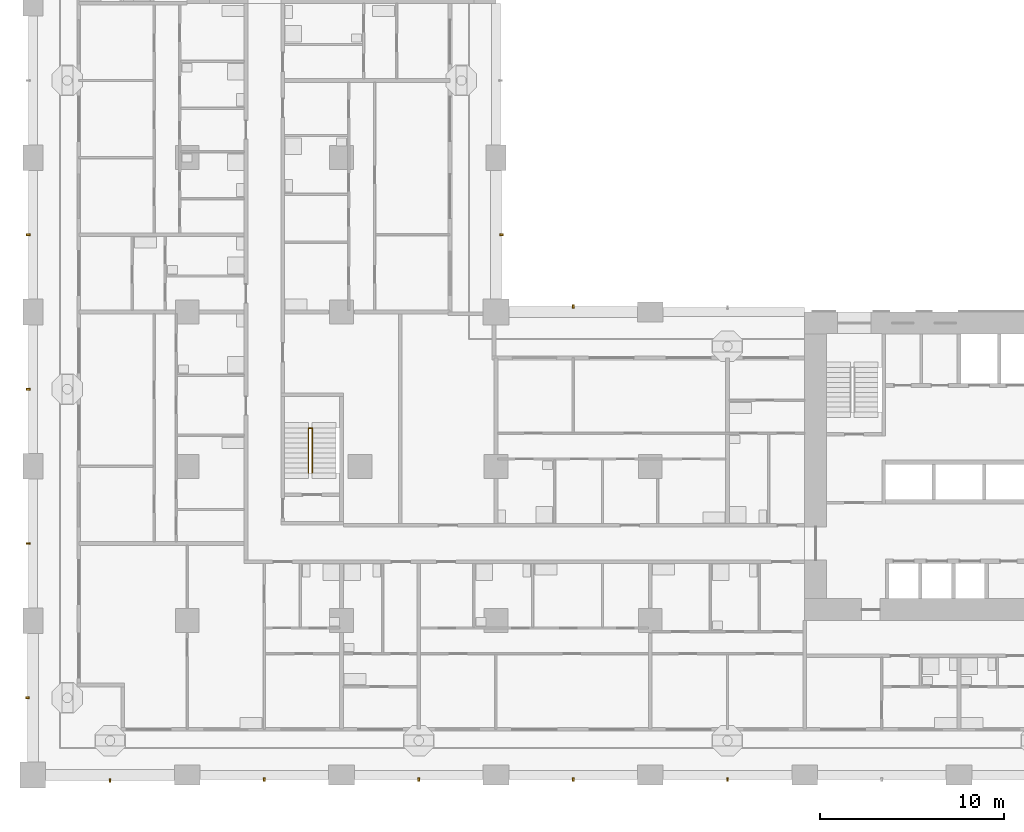
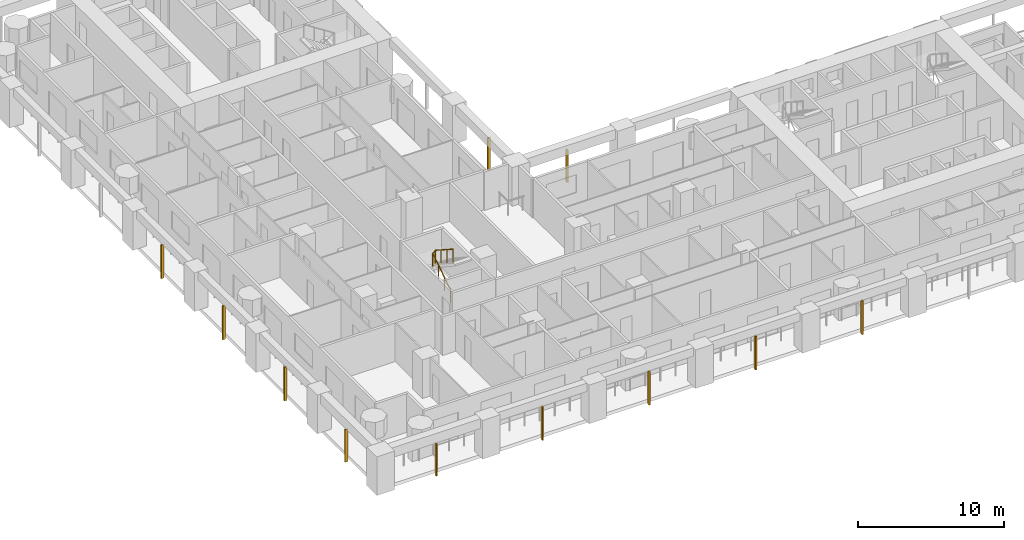
# One storey, part 12 of 21: 11 shading devices, 1 railing.
"""IFC4 building model written with IfcOpenShell, lengths in metres."""

from ifc_helpers import new_model, si_unit, direction, frame, origin, origin_2d, place, context, subcontext, project, spatial, rectangle, circle, extrude, material, material_profile, profile_set, type_object, element, save


model = new_model("IFC4")

# Units and contexts
model_context = context("Model", 3, precision=1e-05, world=origin(), true_north=direction((0.0, 1.0)))
body_context = subcontext(model_context, "Body", "Model", "MODEL_VIEW")
ifc_project = project(units=[si_unit("LENGTHUNIT", "METRE"), si_unit("AREAUNIT", "SQUARE_METRE"), si_unit("VOLUMEUNIT", "CUBIC_METRE"), si_unit("PLANEANGLEUNIT", "RADIAN"), si_unit("MASSUNIT", "GRAM", prefix="KILO")], contexts=[model_context])

# Site, building, storey
site_placement = place(None, origin())
site = spatial("IfcSite", under=ifc_project, at=site_placement, CompositionType="ELEMENT")
building_placement = place(site_placement, origin())
building = spatial("IfcBuilding", under=site, at=building_placement, Name="Vermilion Gate Residences", CompositionType="ELEMENT")
storey_placement = place(building_placement, frame((0.0, 0.0, 67.199951171875)))
storey = spatial("IfcBuildingStorey", under=building, at=storey_placement, Name="L16", CompositionType="ELEMENT", Elevation=67.199951171875)

# Railing
ifc_material_1 = material(Name="Steel S355", Category="steel")
railing_type = type_object("IfcRailingType", Name="STAIR GUARD 1100 STEEL", PredefinedType="GUARDRAIL", material=ifc_material_1)
railing_placement = place(storey_placement, frame((15.0, 16.449951171875, 0.175048828125)))
element("IfcRailing", 1, at=railing_placement, inside=storey, type_object=railing_type, Name="Stair well guard STC1-16", PredefinedType="GUARDRAIL", context=body_context, shape_type="SweptSolid", body=[
    extrude(circle(Radius=0.02392578125, at=origin_2d()), frame((0.0, 0.0, 1.076171875), z_axis=(0.0, 0.839153699163, 0.543894354798), x_axis=(-1.0, 0.0, 0.0)), (0.0, 0.0, 1.0), 2.895751953125),
    extrude(circle(Radius=0.02392578125, at=origin_2d()), frame((0.0, 2.429931640625, 2.65087890625), z_axis=(0.752405939678, 0.0, 0.658699705433), x_axis=(0.0, 1.0, 0.0)), (0.0, 0.0, 1.0), 0.265869140625),
    extrude(circle(Radius=0.02392578125, at=origin_2d()), frame((0.199951171875, 2.429931640625, 2.826171875), z_axis=(0.0, -0.839153699163, 0.543894354798), x_axis=(1.0, 0.0, 0.0)), (0.0, 0.0, 1.0), 2.895751953125),
    extrude(circle(Radius=0.02099609375, at=origin_2d()), origin(), (0.0, 0.0, 1.0), 1.052001953125),
    extrude(circle(Radius=0.02099609375, at=origin_2d()), frame((0.0, 0.81005859375, 0.52490234375)), (0.0, 0.0, 1.0), 1.052001953125),
    extrude(circle(Radius=0.02099609375, at=origin_2d()), frame((0.0, 1.619873046875, 1.050048828125)), (0.0, 0.0, 1.0), 1.052001953125),
    extrude(circle(Radius=0.02099609375, at=origin_2d()), frame((0.0, 2.429931640625, 1.574951171875)), (0.0, 0.0, 1.0), 1.052001953125),
    extrude(circle(Radius=0.02099609375, at=origin_2d()), frame((0.199951171875, 2.429931640625, 1.75)), (0.0, 0.0, 1.0), 1.052001953125),
    extrude(circle(Radius=0.02099609375, at=origin_2d()), frame((0.199951171875, 1.619873046875, 2.27490234375)), (0.0, 0.0, 1.0), 1.052001953125),
    extrude(circle(Radius=0.02099609375, at=origin_2d()), frame((0.199951171875, 0.81005859375, 2.800048828125)), (0.0, 0.0, 1.0), 1.052001953125),
    extrude(circle(Radius=0.02099609375, at=origin_2d()), frame((0.199951171875, 0.0, 3.324951171875)), (0.0, 0.0, 1.0), 1.052001953125),
])

# Shading devices
ifc_material_2 = material(Name="Extruded terracotta", Category="masonry")
ifc_material_profile = material_profile(ifc_material_2, rectangle(XDim=0.199951171875, YDim=0.10009765625, at=origin_2d()), Name="BAGUETTE 100 X 200")
ifc_profile_set = profile_set([ifc_material_profile], Name="Extruded terracotta")
shading_device_type = type_object("IfcShadingDeviceType", Name="TERRACOTTA BAGUETTE 100 X 200", PredefinedType="JALOUSIE", material=ifc_profile_set)
shading_device_placement = place(storey_placement, frame((4.199951171875, -0.300048828125, -0.280029296875), z_axis=(0.0, 0.0, 1.0), x_axis=(0.0, 1.0, 0.0)))
element("IfcShadingDevice", 2, at=shading_device_placement, inside=storey, type_object=shading_device_type, Name="BAGUETTE", PredefinedType="JALOUSIE", context=body_context, shape_type="SweptSolid", body=[
    extrude(rectangle(XDim=0.199951171875, YDim=0.10009765625, at=origin_2d()), origin(), (0.0, 0.0, 1.0), 2.7001953125),
])
for number, where, z_axis, x_axis, name in (
    (3, (12.60009765625, -0.25, -0.280029296875), (0.0, 0.0, 1.0), (0.0, 1.0, 0.0), "BAGUETTE"),
    (4, (21.0, -0.25, -0.280029296875), (0.0, 0.0, 1.0), (0.0, 1.0, 0.0), "BAGUETTE"),
    (5, (29.39990234375, -0.25, -0.280029296875), (0.0, 0.0, 1.0), (0.0, 1.0, 0.0), "BAGUETTE"),
    (6, (37.800048828125, -0.25, -0.280029296875), (0.0, 0.0, 1.0), (0.0, 1.0, 0.0), "BAGUETTE"),
):
    element("IfcShadingDevice", number, at=place(storey_placement, frame(where, z_axis=z_axis, x_axis=x_axis)), inside=storey, type_object=shading_device_type, Name=name, PredefinedType="JALOUSIE", context=body_context, shape_type="SweptSolid", body=[
        extrude(rectangle(XDim=0.199951171875, YDim=0.10009765625, at=origin_2d()), origin(), (0.0, 0.0, 1.0), 2.800048828125),
    ])
for number, where, z_axis, x_axis, name in (
    (7, (29.39990234375, 25.5, -0.280029296875), (0.0, 0.0, 1.0), (0.0, -1.0, 0.0), "BAGUETTE"),
    (8, (25.5, 29.39990234375, -0.280029296875), (0.0, 0.0, 1.0), (-1.0, 0.0, 0.0), "BAGUETTE"),
    (9, (-0.300048828125, 4.199951171875, -0.280029296875), (0.0, 0.0, 1.0), (1.0, 0.0, 0.0), "BAGUETTE"),
):
    element("IfcShadingDevice", number, at=place(storey_placement, frame(where, z_axis=z_axis, x_axis=x_axis)), inside=storey, type_object=shading_device_type, Name=name, PredefinedType="JALOUSIE", context=body_context, shape_type="SweptSolid", body=[
        extrude(rectangle(XDim=0.199951171875, YDim=0.10009765625, at=origin_2d()), origin(), (0.0, 0.0, 1.0), 2.7001953125),
    ])
for number, where, z_axis, x_axis, name in (
    (10, (-0.25, 12.60009765625, -0.280029296875), (0.0, 0.0, 1.0), (1.0, 0.0, 0.0), "BAGUETTE"),
    (11, (-0.25, 21.0, -0.280029296875), (0.0, 0.0, 1.0), (1.0, 0.0, 0.0), "BAGUETTE"),
    (12, (-0.25, 29.39990234375, -0.280029296875), (0.0, 0.0, 1.0), (1.0, 0.0, 0.0), "BAGUETTE"),
):
    element("IfcShadingDevice", number, at=place(storey_placement, frame(where, z_axis=z_axis, x_axis=x_axis)), inside=storey, type_object=shading_device_type, Name=name, PredefinedType="JALOUSIE", context=body_context, shape_type="SweptSolid", body=[
        extrude(rectangle(XDim=0.199951171875, YDim=0.10009765625, at=origin_2d()), origin(), (0.0, 0.0, 1.0), 2.800048828125),
    ])

save(model, "model.ifc")
